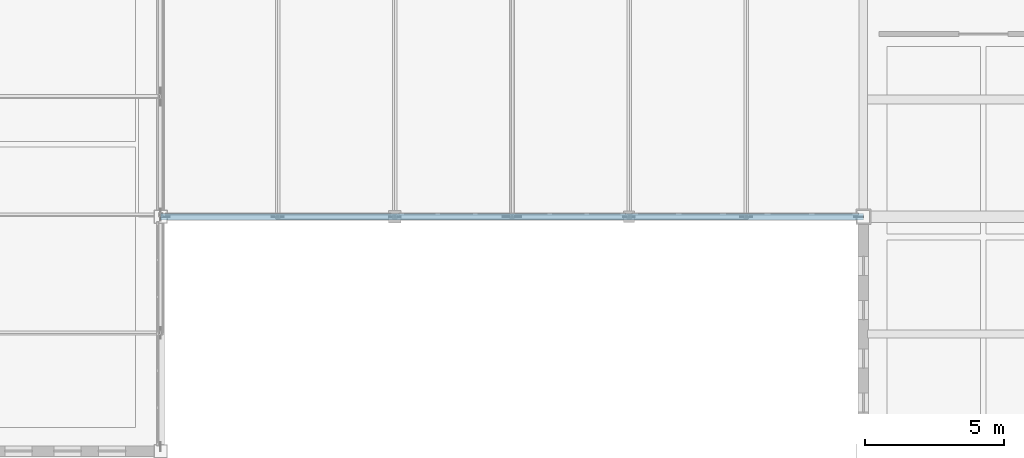
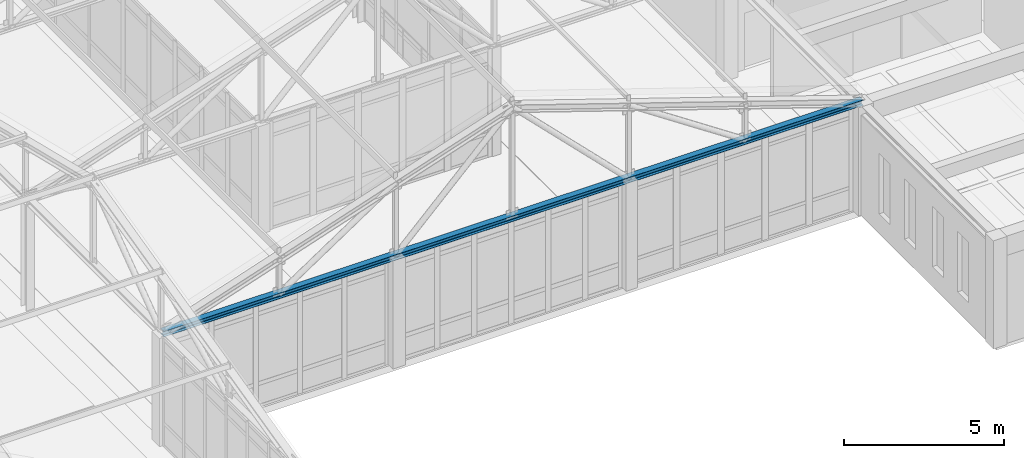
# One storey, part 34 of 192: 1 member.
"""IFC4 building model written with IfcOpenShell, lengths in metres."""

from ifc_helpers import new_model, si_unit, direction, frame, origin, origin_2d, place, context, subcontext, project, spatial, i_section, extrude, material, material_profile, profile_set, type_object, element, save


model = new_model("IFC4")

# Units and contexts
model_context = context("Model", 3, precision=1e-05, world=origin(), true_north=direction((0.0, 1.0)))
body_context = subcontext(model_context, "Body", "Model", "MODEL_VIEW")
ifc_project = project(units=[si_unit("LENGTHUNIT", "METRE"), si_unit("AREAUNIT", "SQUARE_METRE"), si_unit("VOLUMEUNIT", "CUBIC_METRE"), si_unit("PLANEANGLEUNIT", "RADIAN"), si_unit("MASSUNIT", "GRAM", prefix="KILO")], contexts=[model_context])

# Site, building, storey
site_placement = place(None, origin())
site = spatial("IfcSite", under=ifc_project, at=site_placement, CompositionType="ELEMENT")
building_placement = place(site_placement, origin())
building = spatial("IfcBuilding", under=site, at=building_placement, Name="Kveldsbrygga Polytechnic", CompositionType="ELEMENT")
storey_placement = place(building_placement, frame((0.0, 0.0, 5.43994140625)))
storey = spatial("IfcBuildingStorey", under=building, at=storey_placement, Name="L01", CompositionType="ELEMENT", Elevation=5.43994140625)

# Member
ifc_material = material(Name="Steel S355", Category="steel")
ifc_material_profile = material_profile(ifc_material, i_section(OverallWidth=0.219970703125, OverallDepth=0.2099609375, WebThickness=0.007080078125, FlangeThickness=0.010986328125, FilletRadius=0.01806640625, at=origin_2d()), Name="HEA 220")
ifc_profile_set = profile_set([ifc_material_profile], Name="Steel S355")
member_type = type_object("IfcMemberType", Name="TR-BOT-HEA220", PredefinedType="CHORD", material=ifc_profile_set)
member_placement = place(storey_placement, frame((50.39990234375, 8.39990234375, 4.1201171875), z_axis=(1.0, 0.0, 0.0), x_axis=(0.0, 1.0, 0.0)))
element("IfcMember", 1, at=member_placement, inside=storey, type_object=member_type, Name="Truss Bottom Chord V5C-T01-BC-1", PredefinedType="CHORD", context=body_context, shape_type="SweptSolid", body=[
    extrude(i_section(OverallWidth=0.219970703125, OverallDepth=0.2099609375, WebThickness=0.007080078125, FlangeThickness=0.010986328125, FilletRadius=0.01806640625, at=origin_2d()), origin(), (0.0, 0.0, 1.0), 25.2001953125),
])

save(model, "model.ifc")
